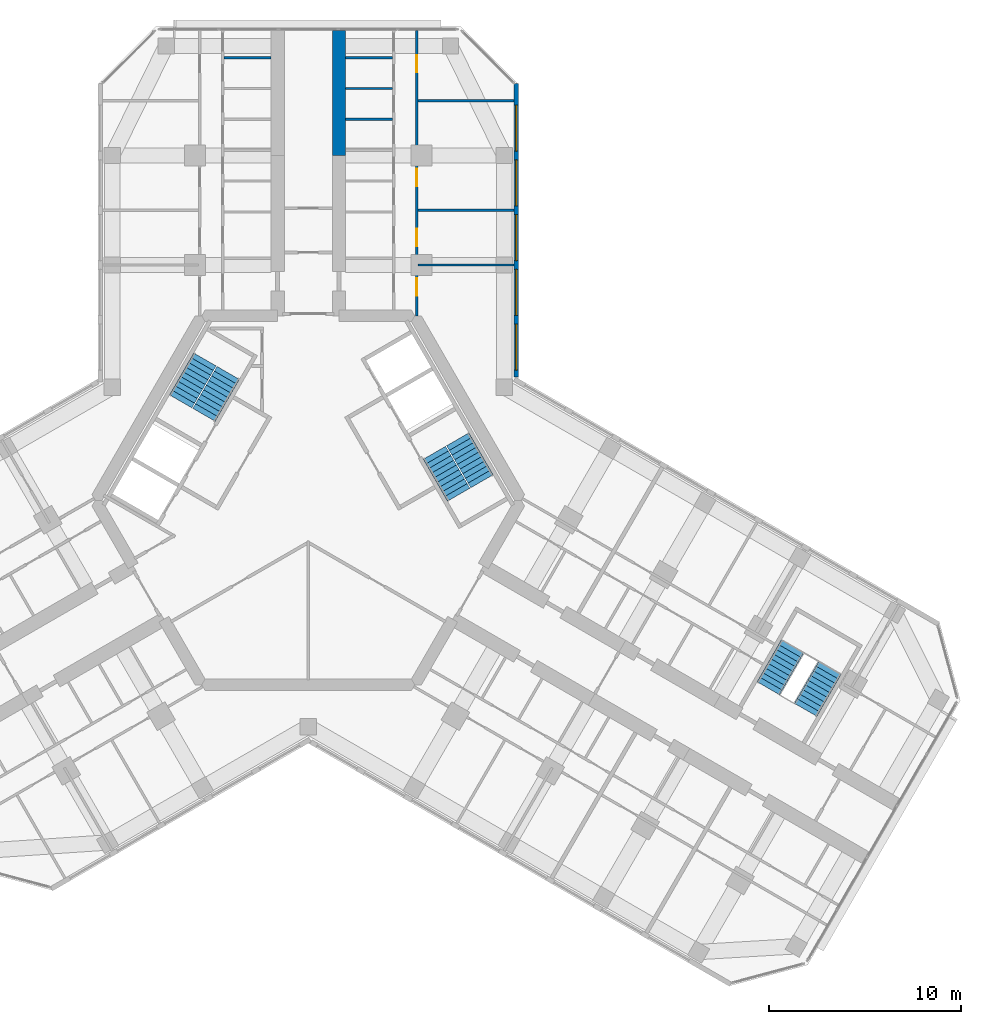
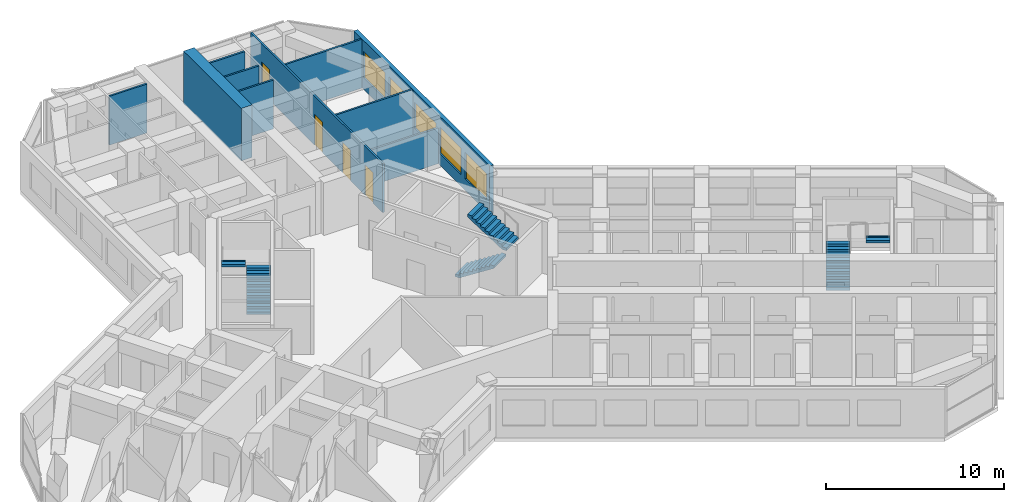
# One storey, part 15 of 16: 10 walls, 6 stair flights, 5 windows, 4 doors, 9 openings, 3 elements without a shape of their own.
"""IFC4 building model written with IfcOpenShell, lengths in metres."""

from ifc_helpers import new_model, si_unit, direction, frame, frame_2d, origin, place, context, subcontext, project, spatial, polyline, rectangle, outline, extrude, material, layer, layer_set, type_object, element, fill, aggregate, save


model = new_model("IFC4")

# Units and contexts
model_context = context("Model", 3, precision=1e-05, world=origin(), true_north=direction((0.0, 1.0)))
body_context = subcontext(model_context, "Body", "Model", "MODEL_VIEW")
ifc_project = project(units=[si_unit("LENGTHUNIT", "METRE"), si_unit("AREAUNIT", "SQUARE_METRE"), si_unit("VOLUMEUNIT", "CUBIC_METRE"), si_unit("PLANEANGLEUNIT", "RADIAN"), si_unit("MASSUNIT", "GRAM", prefix="KILO")], contexts=[model_context])

# Site, building, storey
site_placement = place(None, origin())
site = spatial("IfcSite", under=ifc_project, at=site_placement, CompositionType="ELEMENT")
building_placement = place(site_placement, origin())
building = spatial("IfcBuilding", under=site, at=building_placement, Name="Kosmar Iwan School Tower", CompositionType="ELEMENT")
storey_placement = place(building_placement, frame((0.0, 0.0, 238.800048828125)))
storey = spatial("IfcBuildingStorey", under=building, at=storey_placement, Name="L60", CompositionType="ELEMENT", Elevation=238.800048828125)

# Walls
ifc_material_1 = material(Name="Concrete C50/60", Category="concrete")
ifc_layer_1 = layer(ifc_material_1, 0.699951171875)
ifc_layer_set_1 = layer_set([ifc_layer_1], Name="Corridor buttress wall 700")
wall_type_1 = type_object("IfcWallType", Name="Corridor buttress wall 700", PredefinedType="SHEAR", material=ifc_layer_set_1)
wall_1_placement = place(storey_placement, frame((1.60009765625, 17.949951171875, 0.0), z_axis=(0.0, 0.0, 1.0), x_axis=(0.0, 1.0, 0.0)))
element("IfcWall", 1, at=wall_1_placement, inside=storey, type_object=wall_type_1, Name="Corridor wall AR bay 2", PredefinedType="SHEAR", context=body_context, shape_type="SweptSolid", body=[
    extrude(rectangle(XDim=6.4951171875, YDim=0.699951171875, at=frame_2d((3.24755859375, 0.0))), origin(), (0.0, 0.0, 1.0), 3.599853515625),
])
ifc_material_2 = material(Name="Gypsum board on steel studs", Category="steel")
ifc_layer_2 = layer(ifc_material_2, 0.1201171875)
ifc_layer_set_2 = layer_set([ifc_layer_2], Name="Dwelling partition 120")
wall_type_2 = type_object("IfcWallType", Name="Dwelling partition 120", PredefinedType="PARTITIONING", material=ifc_layer_set_2)
wall_2_placement = place(storey_placement, frame((-1.949951171875, 23.043212890625, 0.0), z_axis=(0.0, 0.0, 1.0), x_axis=(-1.0, 0.0, 0.0)))
element("IfcWall", 2, at=wall_2_placement, inside=storey, type_object=wall_type_2, Name="Partition L60-AL1-Y7", PredefinedType="PARTITIONING", context=body_context, shape_type="SweptSolid", body=[
    extrude(rectangle(XDim=2.43994140625, YDim=0.1201171875, at=frame_2d((1.219970703125, 0.0))), origin(), (0.0, 0.0, 1.0), 3.349853515625),
])

# Wall, openings, doors
wall_3_placement = place(storey_placement, frame((5.64990234375, 9.60009765625, 0.0), z_axis=(0.0, 0.0, 1.0), x_axis=(0.0, 1.0, 0.0)))
wall_3 = element("IfcWall", 3, at=wall_3_placement, inside=storey, type_object=wall_type_2, Name="Partition L60-AR1-W2", PredefinedType="PARTITIONING", context=body_context, shape_type="SweptSolid", body=[
    extrude(rectangle(XDim=14.844970703125, YDim=0.1201171875, at=frame_2d((7.42236328125, 0.0))), origin(), (0.0, 0.0, 1.0), 3.349853515625),
])
opening_1_placement = place(wall_3_placement, frame((1.050048828125, 0.0, 0.0)))
opening_1 = element("IfcOpeningElement", 4, at=opening_1_placement, cuts=wall_3, Name="Opening D2", PredefinedType="OPENING", context=body_context, shape_type="SweptSolid", body=[
    extrude(rectangle(XDim=0.89990234375, YDim=2.10009765625, at=frame_2d((0.449951171875, 1.050048828125))), frame((0.0, 0.072021484375, 0.0), z_axis=(0.0, -1.0, 0.0), x_axis=(1.0, 0.0, 0.0)), (0.0, 0.0, 1.0), 0.14404296875),
])
opening_2_placement = place(wall_3_placement, frame((3.625, 0.0, 0.0)))
opening_2 = element("IfcOpeningElement", 5, at=opening_2_placement, cuts=wall_3, Name="Opening D2", PredefinedType="OPENING", context=body_context, shape_type="SweptSolid", body=[
    extrude(rectangle(XDim=0.89990234375, YDim=2.10009765625, at=frame_2d((0.449951171875, 1.050048828125))), frame((0.0, 0.072021484375, 0.0), z_axis=(0.0, -1.0, 0.0), x_axis=(1.0, 0.0, 0.0)), (0.0, 0.0, 1.0), 0.14404296875),
])
opening_3_placement = place(wall_3_placement, frame((6.75, 0.0, 0.0)))
opening_3 = element("IfcOpeningElement", 6, at=opening_3_placement, cuts=wall_3, Name="Opening D2", PredefinedType="OPENING", context=body_context, shape_type="SweptSolid", body=[
    extrude(rectangle(XDim=0.89990234375, YDim=2.10009765625, at=frame_2d((0.449951171875, 1.050048828125))), frame((0.0, 0.072021484375, 0.0), z_axis=(0.0, -1.0, 0.0), x_axis=(1.0, 0.0, 0.0)), (0.0, 0.0, 1.0), 0.14404296875),
])
opening_4_placement = place(wall_3_placement, frame((12.675048828125, 0.0, 0.0)))
opening_4 = element("IfcOpeningElement", 7, at=opening_4_placement, cuts=wall_3, Name="Opening D2", PredefinedType="OPENING", context=body_context, shape_type="SweptSolid", body=[
    extrude(rectangle(XDim=0.89990234375, YDim=2.10009765625, at=frame_2d((0.449951171875, 1.050048828125))), frame((0.0, 0.072021484375, 0.0), z_axis=(0.0, -1.0, 0.0), x_axis=(1.0, 0.0, 0.0)), (0.0, 0.0, 1.0), 0.14404296875),
])
ifc_material_3 = material(Name="Timber door in timber frame", Category="wood")
door_type = type_object("IfcDoorType", Name="Internal door 900x2100", OperationType="SINGLE_SWING_LEFT", PredefinedType="DOOR", material=ifc_material_3)
door_1_placement = place(opening_1_placement, origin())
door_1 = element("IfcDoor", 8, at=door_1_placement, inside=storey, type_object=door_type, Name="Bedroom 1 door L60-AR1-F1", OperationType="SINGLE_SWING_LEFT", OverallHeight=2.10009765625, OverallWidth=0.89990234375, PredefinedType="DOOR", context=body_context, shape_type="SweptSolid", body=[
    extrude(rectangle(XDim=0.89990234375, YDim=2.10009765625, at=frame_2d((0.449951171875, 1.050048828125))), frame((0.0, 0.02490234375, 0.0), z_axis=(0.0, -1.0, 0.0), x_axis=(1.0, 0.0, 0.0)), (0.0, 0.0, 1.0), 0.050048828125),
])
fill(opening_1, door_1)
door_2_placement = place(opening_2_placement, origin())
door_2 = element("IfcDoor", 9, at=door_2_placement, inside=storey, type_object=door_type, Name="Study door L60-AR1-F2", OperationType="SINGLE_SWING_LEFT", OverallHeight=2.10009765625, OverallWidth=0.89990234375, PredefinedType="DOOR", context=body_context, shape_type="SweptSolid", body=[
    extrude(rectangle(XDim=0.89990234375, YDim=2.10009765625, at=frame_2d((0.449951171875, 1.050048828125))), frame((0.0, 0.02490234375, 0.0), z_axis=(0.0, -1.0, 0.0), x_axis=(1.0, 0.0, 0.0)), (0.0, 0.0, 1.0), 0.050048828125),
])
fill(opening_2, door_2)
door_3_placement = place(opening_3_placement, origin())
door_3 = element("IfcDoor", 10, at=door_3_placement, inside=storey, type_object=door_type, Name="Living room and kitchen door L60-AR1-F3", OperationType="SINGLE_SWING_LEFT", OverallHeight=2.10009765625, OverallWidth=0.89990234375, PredefinedType="DOOR", context=body_context, shape_type="SweptSolid", body=[
    extrude(rectangle(XDim=0.89990234375, YDim=2.10009765625, at=frame_2d((0.449951171875, 1.050048828125))), frame((0.0, 0.02490234375, 0.0), z_axis=(0.0, -1.0, 0.0), x_axis=(1.0, 0.0, 0.0)), (0.0, 0.0, 1.0), 0.050048828125),
])
fill(opening_3, door_3)
door_4_placement = place(opening_4_placement, origin())
door_4 = element("IfcDoor", 11, at=door_4_placement, inside=storey, type_object=door_type, Name="Grandparents' suite door L60-AR1-F4", OperationType="SINGLE_SWING_RIGHT", OverallHeight=2.10009765625, OverallWidth=0.89990234375, PredefinedType="DOOR", context=body_context, shape_type="SweptSolid", body=[
    extrude(rectangle(XDim=0.89990234375, YDim=2.10009765625, at=frame_2d((0.449951171875, 1.050048828125))), frame((0.0, 0.02490234375, 0.0), z_axis=(0.0, -1.0, 0.0), x_axis=(1.0, 0.0, 0.0)), (0.0, 0.0, 1.0), 0.050048828125),
])
fill(opening_4, door_4)

# Walls
wall_4_placement = place(storey_placement, frame((5.7099609375, 12.25, 0.0), z_axis=(0.0, 0.0, 1.0), x_axis=(1.0, 0.0, 0.0)))
element("IfcWall", 12, at=wall_4_placement, inside=storey, type_object=wall_type_2, Name="Partition L60-AR1-X1", PredefinedType="PARTITIONING", context=body_context, shape_type="SweptSolid", body=[
    extrude(rectangle(XDim=4.989990234375, YDim=0.1201171875, at=frame_2d((2.4951171875, 0.0))), origin(), (0.0, 0.0, 1.0), 2.449951171875),
])
for number, where, z_axis, x_axis, name in (
    (13, (5.7099609375, 15.10009765625, 0.0), (0.0, 0.0, 1.0), (1.0, 0.0, 0.0), "Partition L60-AR1-X2"),
    (14, (5.7099609375, 20.800048828125, 0.0), (0.0, 0.0, 1.0), (1.0, 0.0, 0.0), "Partition L60-AR1-X3"),
):
    element("IfcWall", number, at=place(storey_placement, frame(where, z_axis=z_axis, x_axis=x_axis)), inside=storey, type_object=wall_type_2, Name=name, PredefinedType="PARTITIONING", context=body_context, shape_type="SweptSolid", body=[
        extrude(rectangle(XDim=4.989990234375, YDim=0.1201171875, at=frame_2d((2.4951171875, 0.0))), origin(), (0.0, 0.0, 1.0), 3.349853515625),
    ])
for number, where, z_axis, x_axis, name in (
    (15, (1.949951171875, 19.830078125, 0.0), (0.0, 0.0, 1.0), (1.0, 0.0, 0.0), "Partition L60-AR1-Y5"),
    (16, (1.949951171875, 21.436767578125, 0.0), (0.0, 0.0, 1.0), (1.0, 0.0, 0.0), "Partition L60-AR1-Y6"),
    (17, (1.949951171875, 23.043212890625, 0.0), (0.0, 0.0, 1.0), (1.0, 0.0, 0.0), "Partition L60-AR1-Y7"),
):
    element("IfcWall", number, at=place(storey_placement, frame(where, z_axis=z_axis, x_axis=x_axis)), inside=storey, type_object=wall_type_2, Name=name, PredefinedType="PARTITIONING", context=body_context, shape_type="SweptSolid", body=[
        extrude(rectangle(XDim=2.43994140625, YDim=0.1201171875, at=frame_2d((1.219970703125, 0.0))), origin(), (0.0, 0.0, 1.0), 3.349853515625),
    ])

# Wall, openings, windows
ifc_material_4 = material(Name="Black aluminium rainscreen on insulated framing", Category="aluminium")
ifc_layer_3 = layer(ifc_material_4, 0.25)
ifc_layer_set_3 = layer_set([ifc_layer_3], Name="External wall rainscreen 250")
wall_type_3 = type_object("IfcWallType", Name="External wall rainscreen 250", PredefinedType="SOLIDWALL", material=ifc_layer_set_3)
wall_5_placement = place(storey_placement, frame((10.824951171875, 6.408935546875, 0.0), z_axis=(0.0, 0.0, 1.0), x_axis=(0.0, 1.0, 0.0)))
wall_5 = element("IfcWall", 18, at=wall_5_placement, inside=storey, type_object=wall_type_3, Name="External wall AR L60", PredefinedType="SOLIDWALL", context=body_context, shape_type="SweptSolid", body=[
    extrude(rectangle(XDim=15.2763671875, YDim=0.25, at=frame_2d((7.63818359375, 0.0))), origin(), (0.0, 0.0, 1.0), 3.349853515625),
])
opening_5_placement = place(wall_5_placement, frame((0.365966796875, 0.0, 0.800048828125)))
opening_5 = element("IfcOpeningElement", 19, at=opening_5_placement, cuts=wall_5, Name="Opening W5", PredefinedType="OPENING", context=body_context, shape_type="SweptSolid", body=[
    extrude(rectangle(XDim=2.39990234375, YDim=1.800048828125, at=frame_2d((1.199951171875, 0.89990234375))), frame((0.0, 0.136962890625, 0.0), z_axis=(0.0, -1.0, 0.0), x_axis=(1.0, 0.0, 0.0)), (0.0, 0.0, 1.0), 0.27392578125),
])
opening_6_placement = place(wall_5_placement, frame((3.216064453125, 0.0, 0.800048828125)))
opening_6 = element("IfcOpeningElement", 20, at=opening_6_placement, cuts=wall_5, Name="Opening W5", PredefinedType="OPENING", context=body_context, shape_type="SweptSolid", body=[
    extrude(rectangle(XDim=2.39990234375, YDim=1.800048828125, at=frame_2d((1.199951171875, 0.89990234375))), frame((0.0, 0.136962890625, 0.0), z_axis=(0.0, -1.0, 0.0), x_axis=(1.0, 0.0, 0.0)), (0.0, 0.0, 1.0), 0.27392578125),
])
opening_7_placement = place(wall_5_placement, frame((6.06591796875, 0.0, 0.800048828125)))
opening_7 = element("IfcOpeningElement", 21, at=opening_7_placement, cuts=wall_5, Name="Opening W5", PredefinedType="OPENING", context=body_context, shape_type="SweptSolid", body=[
    extrude(rectangle(XDim=2.39990234375, YDim=1.800048828125, at=frame_2d((1.199951171875, 0.89990234375))), frame((0.0, 0.136962890625, 0.0), z_axis=(0.0, -1.0, 0.0), x_axis=(1.0, 0.0, 0.0)), (0.0, 0.0, 1.0), 0.27392578125),
])
opening_8_placement = place(wall_5_placement, frame((8.916015625, 0.0, 0.800048828125)))
opening_8 = element("IfcOpeningElement", 22, at=opening_8_placement, cuts=wall_5, Name="Opening W5", PredefinedType="OPENING", context=body_context, shape_type="SweptSolid", body=[
    extrude(rectangle(XDim=2.39990234375, YDim=1.800048828125, at=frame_2d((1.199951171875, 0.89990234375))), frame((0.0, 0.136962890625, 0.0), z_axis=(0.0, -1.0, 0.0), x_axis=(1.0, 0.0, 0.0)), (0.0, 0.0, 1.0), 0.27392578125),
])
opening_9_placement = place(wall_5_placement, frame((11.76611328125, 0.0, 0.800048828125)))
opening_9 = element("IfcOpeningElement", 23, at=opening_9_placement, cuts=wall_5, Name="Opening W5", PredefinedType="OPENING", context=body_context, shape_type="SweptSolid", body=[
    extrude(rectangle(XDim=2.39990234375, YDim=1.800048828125, at=frame_2d((1.199951171875, 0.89990234375))), frame((0.0, 0.136962890625, 0.0), z_axis=(0.0, -1.0, 0.0), x_axis=(1.0, 0.0, 0.0)), (0.0, 0.0, 1.0), 0.27392578125),
])
ifc_material_5 = material(Name="Black aluminium frame with dark triple glazing", Category="aluminium")
window_type = type_object("IfcWindowType", Name="Window 2400x1800", PartitioningType="SINGLE_PANEL", PredefinedType="WINDOW", material=ifc_material_5)
window_1_placement = place(opening_5_placement, origin())
window_1 = element("IfcWindow", 24, at=window_1_placement, inside=storey, type_object=window_type, Name="Window AR L60 -1", OverallHeight=1.800048828125, OverallWidth=2.39990234375, PartitioningType="SINGLE_PANEL", PredefinedType="WINDOW", context=body_context, shape_type="SweptSolid", body=[
    extrude(rectangle(XDim=2.39990234375, YDim=1.800048828125, at=frame_2d((1.199951171875, 0.89990234375))), frame((0.0, 0.030029296875, 0.0), z_axis=(0.0, -1.0, 0.0), x_axis=(1.0, 0.0, 0.0)), (0.0, 0.0, 1.0), 0.06005859375),
])
fill(opening_5, window_1)
window_2_placement = place(opening_6_placement, origin())
window_2 = element("IfcWindow", 25, at=window_2_placement, inside=storey, type_object=window_type, Name="Window AR L60 0", OverallHeight=1.800048828125, OverallWidth=2.39990234375, PartitioningType="SINGLE_PANEL", PredefinedType="WINDOW", context=body_context, shape_type="SweptSolid", body=[
    extrude(rectangle(XDim=2.39990234375, YDim=1.800048828125, at=frame_2d((1.199951171875, 0.89990234375))), frame((0.0, 0.030029296875, 0.0), z_axis=(0.0, -1.0, 0.0), x_axis=(1.0, 0.0, 0.0)), (0.0, 0.0, 1.0), 0.06005859375),
])
fill(opening_6, window_2)
window_3_placement = place(opening_7_placement, origin())
window_3 = element("IfcWindow", 26, at=window_3_placement, inside=storey, type_object=window_type, Name="Window AR L60 1", OverallHeight=1.800048828125, OverallWidth=2.39990234375, PartitioningType="SINGLE_PANEL", PredefinedType="WINDOW", context=body_context, shape_type="SweptSolid", body=[
    extrude(rectangle(XDim=2.39990234375, YDim=1.800048828125, at=frame_2d((1.199951171875, 0.89990234375))), frame((0.0, 0.030029296875, 0.0), z_axis=(0.0, -1.0, 0.0), x_axis=(1.0, 0.0, 0.0)), (0.0, 0.0, 1.0), 0.06005859375),
])
fill(opening_7, window_3)
window_4_placement = place(opening_8_placement, origin())
window_4 = element("IfcWindow", 27, at=window_4_placement, inside=storey, type_object=window_type, Name="Window AR L60 2", OverallHeight=1.800048828125, OverallWidth=2.39990234375, PartitioningType="SINGLE_PANEL", PredefinedType="WINDOW", context=body_context, shape_type="SweptSolid", body=[
    extrude(rectangle(XDim=2.39990234375, YDim=1.800048828125, at=frame_2d((1.199951171875, 0.89990234375))), frame((0.0, 0.030029296875, 0.0), z_axis=(0.0, -1.0, 0.0), x_axis=(1.0, 0.0, 0.0)), (0.0, 0.0, 1.0), 0.06005859375),
])
fill(opening_8, window_4)
window_5_placement = place(opening_9_placement, origin())
window_5 = element("IfcWindow", 28, at=window_5_placement, inside=storey, type_object=window_type, Name="Window AR L60 3", OverallHeight=1.800048828125, OverallWidth=2.39990234375, PartitioningType="SINGLE_PANEL", PredefinedType="WINDOW", context=body_context, shape_type="SweptSolid", body=[
    extrude(rectangle(XDim=2.39990234375, YDim=1.800048828125, at=frame_2d((1.199951171875, 0.89990234375))), frame((0.0, 0.030029296875, 0.0), z_axis=(0.0, -1.0, 0.0), x_axis=(1.0, 0.0, 0.0)), (0.0, 0.0, 1.0), 0.06005859375),
])
fill(opening_9, window_5)

# Stair, stair flights
ifc_material_6 = material(Name="Concrete C35/45", Category="concrete")
stair_type_1 = type_object("IfcStairType", Name="Escape stair 3600", PredefinedType="HALF_TURN_STAIR", material=ifc_material_6)
stair_1_placement = place(storey_placement, origin())
stair_1 = element("IfcStair", 29, at=stair_1_placement, inside=storey, type_object=stair_type_1, Name="Stair WS3 L60", PredefinedType="HALF_TURN_STAIR")
ifc_material_7 = material(Name="Concrete C35/45", Category="concrete")
stair_flight_type_1 = type_object("IfcStairFlightType", Name="Escape stair flight 1350", PredefinedType="STRAIGHT", material=ifc_material_7)
stair_flight_1_placement = place(storey_placement, frame((23.94189453125, -9.781494140625, 0.0), z_axis=(0.0, 0.0, 1.0), x_axis=(0.5, 0.866025403784, 0.0)))
stair_flight_1 = element("IfcStairFlight", 30, at=stair_flight_1_placement, type_object=stair_flight_type_1, Name="WS3 flight 1", NumberOfRisers=10, NumberOfTreads=9, PredefinedType="STRAIGHT", RiserHeight=0.18, TreadLength=0.28, context=body_context, shape_type="SweptSolid", body=[
    extrude(outline(polyline([(0.0, 0.0), (0.0, 0.179931640625), (0.280029296875, 0.179931640625), (0.280029296875, 0.360107421875), (0.56005859375, 0.360107421875), (0.56005859375, 0.5400390625), (0.840087890625, 0.5400390625), (0.840087890625, 0.719970703125), (1.1201171875, 0.719970703125), (1.1201171875, 0.89990234375), (1.39990234375, 0.89990234375), (1.39990234375, 1.080078125), (1.679931640625, 1.080078125), (1.679931640625, 1.260009765625), (1.9599609375, 1.260009765625), (1.9599609375, 1.43994140625), (2.239990234375, 1.43994140625), (2.239990234375, 1.6201171875), (2.52001953125, 1.6201171875), (2.52001953125, 1.800048828125), (2.52001953125, 1.44189453125), (0.277099609375, 0.0), (0.0, 0.0)])), frame((0.0, 0.675048828125, 0.0), z_axis=(0.0, -1.0, 0.0), x_axis=(1.0, 0.0, 0.0)), (0.0, 0.0, 1.0), 1.35009765625),
])
stair_flight_2_placement = place(storey_placement, frame((27.150390625, -8.72412109375, 1.800048828125), z_axis=(0.0, 0.0, 1.0), x_axis=(-0.5, -0.866025403784, 0.0)))
stair_flight_2 = element("IfcStairFlight", 31, at=stair_flight_2_placement, type_object=stair_flight_type_1, Name="WS3 flight 2", NumberOfRisers=10, NumberOfTreads=9, PredefinedType="STRAIGHT", RiserHeight=0.18, TreadLength=0.28, context=body_context, shape_type="SweptSolid", body=[
    extrude(outline(polyline([(0.0, 0.0), (0.0, 0.179931640625), (0.280029296875, 0.179931640625), (0.280029296875, 0.360107421875), (0.56005859375, 0.360107421875), (0.56005859375, 0.5400390625), (0.840087890625, 0.5400390625), (0.840087890625, 0.719970703125), (1.1201171875, 0.719970703125), (1.1201171875, 0.89990234375), (1.39990234375, 0.89990234375), (1.39990234375, 1.080078125), (1.679931640625, 1.080078125), (1.679931640625, 1.260009765625), (1.9599609375, 1.260009765625), (1.9599609375, 1.43994140625), (2.239990234375, 1.43994140625), (2.239990234375, 1.6201171875), (2.52001953125, 1.6201171875), (2.52001953125, 1.800048828125), (2.52001953125, 1.44189453125), (0.277099609375, 0.0), (0.0, 0.0)])), frame((0.0, 0.675048828125, 0.0), z_axis=(0.0, -1.0, 0.0), x_axis=(1.0, 0.0, 0.0)), (0.0, 0.0, 1.0), 1.35009765625),
])
aggregate(stair_1, [stair_flight_1, stair_flight_2])

ifc_material_8 = material(Name="Concrete C35/45", Category="concrete")
stair_type_2 = type_object("IfcStairType", Name="Core stair 2750", PredefinedType="HALF_TURN_STAIR", material=ifc_material_8)
stair_2_placement = place(storey_placement, origin())
stair_2 = element("IfcStair", 32, at=stair_2_placement, inside=storey, type_object=stair_type_2, Name="Stair ST2 L60", PredefinedType="HALF_TURN_STAIR")
ifc_material_9 = material(Name="Concrete C35/45", Category="concrete")
stair_flight_type_2 = type_object("IfcStairFlightType", Name="Stair flight 1350", PredefinedType="STRAIGHT", material=ifc_material_9)
stair_flight_3_placement = place(storey_placement, frame((-5.42724609375, 4.44970703125, 0.0), z_axis=(0.0, 0.0, 1.0), x_axis=(0.5, 0.866025403784, 0.0)))
stair_flight_3 = element("IfcStairFlight", 33, at=stair_flight_3_placement, type_object=stair_flight_type_2, Name="ST2 flight 1", NumberOfRisers=10, NumberOfTreads=9, PredefinedType="STRAIGHT", RiserHeight=0.18, TreadLength=0.28, context=body_context, shape_type="SweptSolid", body=[
    extrude(outline(polyline([(0.0, 0.0), (0.0, 0.179931640625), (0.280029296875, 0.179931640625), (0.280029296875, 0.360107421875), (0.56005859375, 0.360107421875), (0.56005859375, 0.5400390625), (0.840087890625, 0.5400390625), (0.840087890625, 0.719970703125), (1.1201171875, 0.719970703125), (1.1201171875, 0.89990234375), (1.39990234375, 0.89990234375), (1.39990234375, 1.080078125), (1.679931640625, 1.080078125), (1.679931640625, 1.260009765625), (1.9599609375, 1.260009765625), (1.9599609375, 1.43994140625), (2.239990234375, 1.43994140625), (2.239990234375, 1.6201171875), (2.52001953125, 1.6201171875), (2.52001953125, 1.800048828125), (2.52001953125, 1.44189453125), (0.277099609375, 0.0), (0.0, 0.0)])), frame((0.0, 0.675048828125, 0.0), z_axis=(0.0, -1.0, 0.0), x_axis=(1.0, 0.0, 0.0)), (0.0, 0.0, 1.0), 1.35009765625),
])
stair_flight_4_placement = place(storey_placement, frame((-5.379638671875, 7.33203125, 1.800048828125), z_axis=(0.0, 0.0, 1.0), x_axis=(-0.5, -0.866025403784, 0.0)))
stair_flight_4 = element("IfcStairFlight", 34, at=stair_flight_4_placement, type_object=stair_flight_type_2, Name="ST2 flight 2", NumberOfRisers=10, NumberOfTreads=9, PredefinedType="STRAIGHT", RiserHeight=0.18, TreadLength=0.28, context=body_context, shape_type="SweptSolid", body=[
    extrude(outline(polyline([(0.0, 0.0), (0.0, 0.179931640625), (0.280029296875, 0.179931640625), (0.280029296875, 0.360107421875), (0.56005859375, 0.360107421875), (0.56005859375, 0.5400390625), (0.840087890625, 0.5400390625), (0.840087890625, 0.719970703125), (1.1201171875, 0.719970703125), (1.1201171875, 0.89990234375), (1.39990234375, 0.89990234375), (1.39990234375, 1.080078125), (1.679931640625, 1.080078125), (1.679931640625, 1.260009765625), (1.9599609375, 1.260009765625), (1.9599609375, 1.43994140625), (2.239990234375, 1.43994140625), (2.239990234375, 1.6201171875), (2.52001953125, 1.6201171875), (2.52001953125, 1.800048828125), (2.52001953125, 1.44189453125), (0.277099609375, 0.0), (0.0, 0.0)])), frame((0.0, 0.675048828125, 0.0), z_axis=(0.0, -1.0, 0.0), x_axis=(1.0, 0.0, 0.0)), (0.0, 0.0, 1.0), 1.35009765625),
])
aggregate(stair_2, [stair_flight_3, stair_flight_4])

stair_3_placement = place(storey_placement, origin())
stair_3 = element("IfcStair", 35, at=stair_3_placement, inside=storey, type_object=stair_type_2, Name="Stair ST1 L60", PredefinedType="HALF_TURN_STAIR")
stair_flight_5_placement = place(storey_placement, frame((6.567138671875, 2.475341796875, 0.0), z_axis=(0.0, 0.0, 1.0), x_axis=(0.5, -0.866025403784, 0.0)))
stair_flight_5 = element("IfcStairFlight", 36, at=stair_flight_5_placement, type_object=stair_flight_type_2, Name="ST1 flight 1", NumberOfRisers=10, NumberOfTreads=9, PredefinedType="STRAIGHT", RiserHeight=0.18, TreadLength=0.28, context=body_context, shape_type="SweptSolid", body=[
    extrude(outline(polyline([(0.0, 0.0), (0.0, 0.179931640625), (0.280029296875, 0.179931640625), (0.280029296875, 0.360107421875), (0.56005859375, 0.360107421875), (0.56005859375, 0.5400390625), (0.840087890625, 0.5400390625), (0.840087890625, 0.719970703125), (1.1201171875, 0.719970703125), (1.1201171875, 0.89990234375), (1.39990234375, 0.89990234375), (1.39990234375, 1.080078125), (1.679931640625, 1.080078125), (1.679931640625, 1.260009765625), (1.9599609375, 1.260009765625), (1.9599609375, 1.43994140625), (2.239990234375, 1.43994140625), (2.239990234375, 1.6201171875), (2.52001953125, 1.6201171875), (2.52001953125, 1.800048828125), (2.52001953125, 1.44189453125), (0.277099609375, 0.0), (0.0, 0.0)])), frame((0.0, 0.675048828125, 0.0), z_axis=(0.0, -1.0, 0.0), x_axis=(1.0, 0.0, 0.0)), (0.0, 0.0, 1.0), 1.35009765625),
])
stair_flight_6_placement = place(storey_placement, frame((9.03955078125, 0.992919921875, 1.800048828125), z_axis=(0.0, 0.0, 1.0), x_axis=(-0.5, 0.866025403784, 0.0)))
stair_flight_6 = element("IfcStairFlight", 37, at=stair_flight_6_placement, type_object=stair_flight_type_2, Name="ST1 flight 2", NumberOfRisers=10, NumberOfTreads=9, PredefinedType="STRAIGHT", RiserHeight=0.18, TreadLength=0.28, context=body_context, shape_type="SweptSolid", body=[
    extrude(outline(polyline([(0.0, 0.0), (0.0, 0.179931640625), (0.280029296875, 0.179931640625), (0.280029296875, 0.360107421875), (0.56005859375, 0.360107421875), (0.56005859375, 0.5400390625), (0.840087890625, 0.5400390625), (0.840087890625, 0.719970703125), (1.1201171875, 0.719970703125), (1.1201171875, 0.89990234375), (1.39990234375, 0.89990234375), (1.39990234375, 1.080078125), (1.679931640625, 1.080078125), (1.679931640625, 1.260009765625), (1.9599609375, 1.260009765625), (1.9599609375, 1.43994140625), (2.239990234375, 1.43994140625), (2.239990234375, 1.6201171875), (2.52001953125, 1.6201171875), (2.52001953125, 1.800048828125), (2.52001953125, 1.44189453125), (0.277099609375, 0.0), (0.0, 0.0)])), frame((0.0, 0.675048828125, 0.0), z_axis=(0.0, -1.0, 0.0), x_axis=(1.0, 0.0, 0.0)), (0.0, 0.0, 1.0), 1.35009765625),
])
aggregate(stair_3, [stair_flight_5, stair_flight_6])

save(model, "model.ifc")
